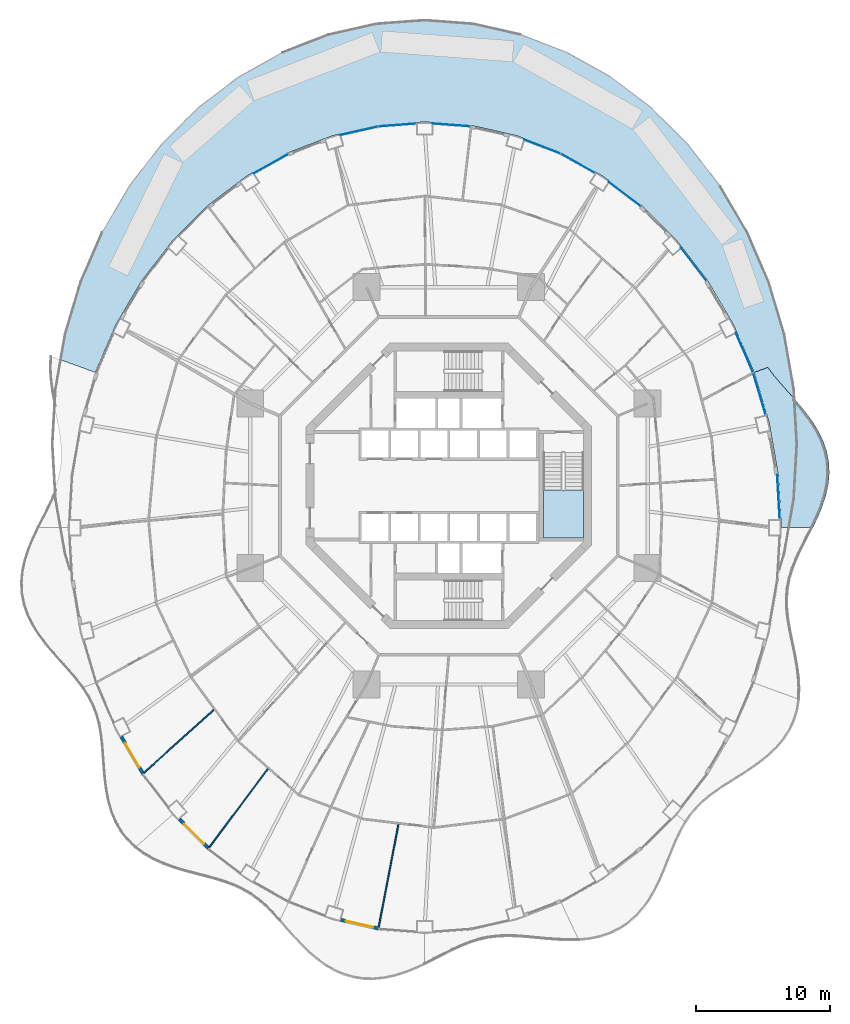
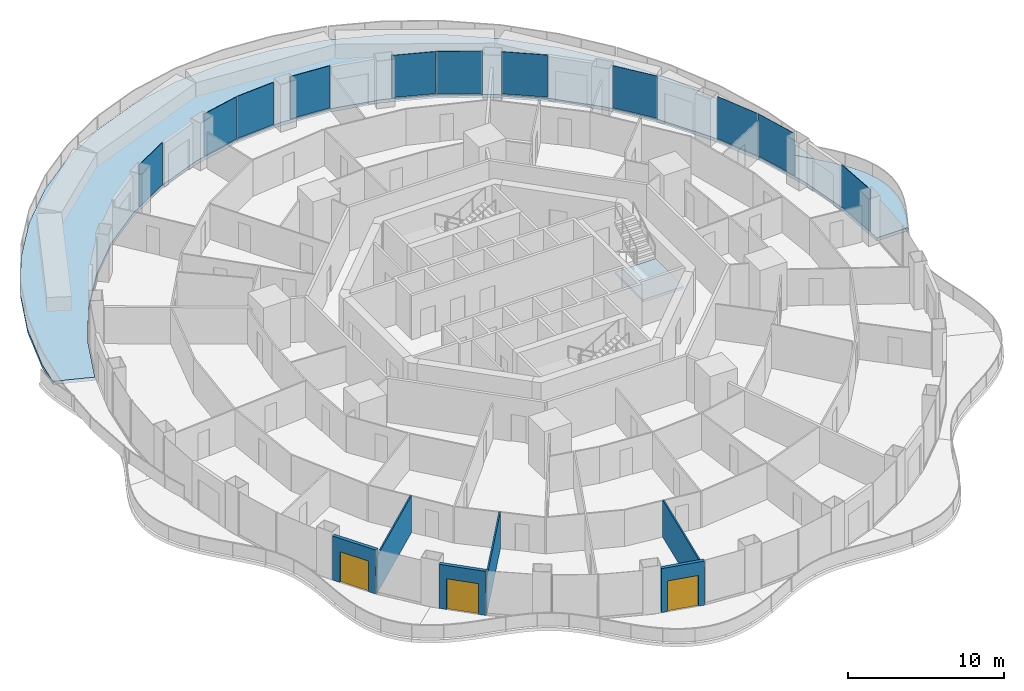
# One storey, part 11 of 20: 11 plates, 6 walls, 3 doors, 3 slabs, 3 openings, 12 elements without a shape of their own.
"""IFC4 building model written with IfcOpenShell, lengths in metres."""

from ifc_helpers import new_model, si_unit, direction, frame, frame_2d, origin, origin_2d, place, context, subcontext, project, spatial, polyline, rectangle, outline, extrude, material, layer, layer_set, type_object, element, fill, aggregate, save


model = new_model("IFC4")

# Units and contexts
model_context = context("Model", 3, precision=1e-05, world=origin(), true_north=direction((0.0, 1.0)))
body_context = subcontext(model_context, "Body", "Model", "MODEL_VIEW")
ifc_project = project(units=[si_unit("LENGTHUNIT", "METRE"), si_unit("AREAUNIT", "SQUARE_METRE"), si_unit("VOLUMEUNIT", "CUBIC_METRE"), si_unit("PLANEANGLEUNIT", "RADIAN"), si_unit("MASSUNIT", "GRAM", prefix="KILO")], contexts=[model_context])

# Site, building, storey
site_placement = place(None, origin())
site = spatial("IfcSite", under=ifc_project, at=site_placement, CompositionType="ELEMENT")
building_placement = place(site_placement, origin())
building = spatial("IfcBuilding", under=site, at=building_placement, Name="Nagisa Residences", CompositionType="ELEMENT")
storey_placement = place(building_placement, frame((0.0, 0.0, 119.60009765625)))
storey = spatial("IfcBuildingStorey", under=building, at=storey_placement, Name="L29", CompositionType="ELEMENT", Elevation=119.60009765625)

# Slab
ifc_material_1 = material(Name="Concrete C40/50", Category="concrete")
ifc_layer_1 = layer(ifc_material_1, 0.25)
ifc_layer_set_1 = layer_set([ifc_layer_1], Name="BALCONY SLAB 250")
slab_type_1 = type_object("IfcSlabType", Name="BALCONY SLAB 250", PredefinedType="FLOOR", material=ifc_layer_set_1)
slab_1_placement = place(storey_placement, frame((0.0, 0.0, -0.25)))
element("IfcSlab", 1, at=slab_1_placement, inside=storey, type_object=slab_type_1, Name="slab:L29:bal00", PredefinedType="FLOOR", context=body_context, shape_type="SweptSolid", body=[
    extrude(outline(polyline([(27.0849609375, -3.11767578125), (27.46142578125, -2.322265625), (27.794677734375, -1.51171875), (28.060302734375, -0.689697265625), (28.2373046875, 0.138671875), (28.31005859375, 0.96630859375), (28.2685546875, 1.78662109375), (28.10986328125, 2.591796875), (27.837890625, 3.376220703125), (27.463134765625, 4.134765625), (27.002197265625, 4.86474609375), (26.47607421875, 5.56591796875), (25.908935546875, 6.24072265625), (25.32666015625, 6.894287109375), (24.754638671875, 7.53369140625), (24.215576171875, 8.167724609375), (23.729248046875, 8.806640625), (22.715087890625, 8.4375), (23.830810546875, 4.697265625), (24.508056640625, 0.823486328125), (24.735107421875, -3.11767578125), (27.0849609375, -3.11767578125)])), origin(), (0.0, 0.0, 1.0), 0.25),
])

# Curtain wall, plate
ifc_material_2 = material(Name="Concrete-coloured aluminium curtain wall system", Category="concrete")
ifc_layer_2 = layer(ifc_material_2, 0.159912109375)
ifc_layer_set_2 = layer_set([ifc_layer_2], Name="CW1 CURTAIN WALL")
curtain_wall_type = type_object("IfcCurtainWallType", Name="CW1 CURTAIN WALL", PredefinedType="NOTDEFINED", material=ifc_layer_set_2)
curtain_wall_1_placement = place(storey_placement, origin())
curtain_wall_1 = element("IfcCurtainWall", 2, at=curtain_wall_1_placement, inside=storey, type_object=curtain_wall_type, Name="cw:CW1:L29:00", PredefinedType="NOTDEFINED")
ifc_material_3 = material(Name="Clear laminated glass", Category="glass")
ifc_layer_3 = layer(ifc_material_3, 0.028076171875)
ifc_layer_set_3 = layer_set([ifc_layer_3], Name="CW1 GLASS PANEL")
plate_type = type_object("IfcPlateType", Name="CW1 GLASS PANEL", PredefinedType="CURTAIN_PANEL", material=ifc_layer_set_3)
plate_1_placement = place(storey_placement, frame((24.522705078125, -0.822265625, 0.14990234375), z_axis=(0.0, 0.0, 1.0), x_axis=(-0.057503492216, 0.998345305184, 0.0)))
plate_1 = element("IfcPlate", 3, at=plate_1_placement, type_object=plate_type, Name="CW1 panel", PredefinedType="CURTAIN_PANEL", context=body_context, shape_type="SweptSolid", body=[
    extrude(rectangle(XDim=3.287841796875, YDim=0.028076171875, at=origin_2d()), origin(), (0.0, 0.0, 1.0), 3.2900390625),
])
aggregate(curtain_wall_1, [plate_1])

curtain_wall_2_placement = place(storey_placement, origin())
curtain_wall_2 = element("IfcCurtainWall", 4, at=curtain_wall_2_placement, inside=storey, type_object=curtain_wall_type, Name="cw:CW1:L29:02", PredefinedType="NOTDEFINED")
plate_2_placement = place(storey_placement, frame((23.10205078125, 6.86083984375, 0.14990234375), z_axis=(0.0, 0.0, 1.0), x_axis=(-0.285860274038, 0.958271310082, 0.0)))
plate_2 = element("IfcPlate", 5, at=plate_2_placement, type_object=plate_type, Name="CW1 panel", PredefinedType="CURTAIN_PANEL", context=body_context, shape_type="SweptSolid", body=[
    extrude(rectangle(XDim=3.242919921875, YDim=0.028076171875, at=origin_2d()), origin(), (0.0, 0.0, 1.0), 3.2900390625),
])
aggregate(curtain_wall_2, [plate_2])

curtain_wall_3_placement = place(storey_placement, origin())
curtain_wall_3 = element("IfcCurtainWall", 6, at=curtain_wall_3_placement, inside=storey, type_object=curtain_wall_type, Name="cw:CW1:L29:03", PredefinedType="NOTDEFINED")
plate_3_placement = place(storey_placement, frame((21.9814453125, 9.928955078125, 0.14990234375), z_axis=(0.0, 0.0, 1.0), x_axis=(-0.397635934147, 0.917543276295, 0.0)))
plate_3 = element("IfcPlate", 7, at=plate_3_placement, type_object=plate_type, Name="CW1 panel", PredefinedType="CURTAIN_PANEL", context=body_context, shape_type="SweptSolid", body=[
    extrude(rectangle(XDim=3.20068359375, YDim=0.028076171875, at=origin_2d()), origin(), (0.0, 0.0, 1.0), 3.2900390625),
])
aggregate(curtain_wall_3, [plate_3])

curtain_wall_4_placement = place(storey_placement, origin())
curtain_wall_4 = element("IfcCurtainWall", 8, at=curtain_wall_4_placement, inside=storey, type_object=curtain_wall_type, Name="cw:CW1:L29:05", PredefinedType="NOTDEFINED")
plate_4_placement = place(storey_placement, frame((18.208740234375, 16.48583984375, 0.14990234375), z_axis=(0.0, 0.0, 1.0), x_axis=(-0.610429828235, 0.792070340816, 0.0)))
plate_4 = element("IfcPlate", 9, at=plate_4_placement, type_object=plate_type, Name="CW1 panel", PredefinedType="CURTAIN_PANEL", context=body_context, shape_type="SweptSolid", body=[
    extrude(rectangle(XDim=3.089111328125, YDim=0.028076171875, at=origin_2d()), origin(), (0.0, 0.0, 1.0), 3.2900390625),
])
aggregate(curtain_wall_4, [plate_4])

curtain_wall_5_placement = place(storey_placement, origin())
curtain_wall_5 = element("IfcCurtainWall", 10, at=curtain_wall_5_placement, inside=storey, type_object=curtain_wall_type, Name="cw:CW1:L29:07", PredefinedType="NOTDEFINED")
plate_5_placement = place(storey_placement, frame((13.076904296875, 21.707763671875, 0.14990234375), z_axis=(0.0, 0.0, 1.0), x_axis=(-0.79603132756, 0.605255421737, 0.0)))
plate_5 = element("IfcPlate", 11, at=plate_5_placement, type_object=plate_type, Name="CW1 panel", PredefinedType="CURTAIN_PANEL", context=body_context, shape_type="SweptSolid", body=[
    extrude(rectangle(XDim=2.965576171875, YDim=0.028076171875, at=origin_2d()), origin(), (0.0, 0.0, 1.0), 3.2900390625),
])
aggregate(curtain_wall_5, [plate_5])

curtain_wall_6_placement = place(storey_placement, origin())
curtain_wall_6 = element("IfcCurtainWall", 12, at=curtain_wall_6_placement, inside=storey, type_object=curtain_wall_type, Name="cw:CW1:L29:08", PredefinedType="NOTDEFINED")
plate_6_placement = place(storey_placement, frame((9.583984375, 23.9970703125, 0.14990234375), z_axis=(0.0, 0.0, 1.0), x_axis=(-0.872072377523, 0.489376918501, 0.0)))
plate_6 = element("IfcPlate", 13, at=plate_6_placement, type_object=plate_type, Name="CW1 panel", PredefinedType="CURTAIN_PANEL", context=body_context, shape_type="SweptSolid", body=[
    extrude(rectangle(XDim=2.90966796875, YDim=0.028076171875, at=origin_2d()), origin(), (0.0, 0.0, 1.0), 3.2900390625),
])
aggregate(curtain_wall_6, [plate_6])

curtain_wall_7_placement = place(storey_placement, origin())
curtain_wall_7 = element("IfcCurtainWall", 14, at=curtain_wall_7_placement, inside=storey, type_object=curtain_wall_type, Name="cw:CW1:L29:09", PredefinedType="NOTDEFINED")
plate_7_placement = place(storey_placement, frame((6.93408203125, 25.24169921875, 0.14990234375), z_axis=(0.0, 0.0, 1.0), x_axis=(-0.932825759707, 0.360327770268, 0.0)))
plate_7 = element("IfcPlate", 15, at=plate_7_placement, type_object=plate_type, Name="CW1 panel", PredefinedType="CURTAIN_PANEL", context=body_context, shape_type="SweptSolid", body=[
    extrude(rectangle(XDim=2.863525390625, YDim=0.028076171875, at=origin_2d()), origin(), (0.0, 0.0, 1.0), 3.2900390625),
])
aggregate(curtain_wall_7, [plate_7])

curtain_wall_8_placement = place(storey_placement, origin())
curtain_wall_8 = element("IfcCurtainWall", 16, at=curtain_wall_8_placement, inside=storey, type_object=curtain_wall_type, Name="cw:CW1:L29:11", PredefinedType="NOTDEFINED")
plate_8_placement = place(storey_placement, frame((0.195068359375, 26.848388671875, 0.14990234375), z_axis=(0.0, 0.0, 1.0), x_axis=(-0.997230168512, 0.074377355493, 0.0)))
plate_8 = element("IfcPlate", 17, at=plate_8_placement, type_object=plate_type, Name="CW1 panel", PredefinedType="CURTAIN_PANEL", context=body_context, shape_type="SweptSolid", body=[
    extrude(rectangle(XDim=2.813232421875, YDim=0.028076171875, at=origin_2d()), origin(), (0.0, 0.0, 1.0), 3.2900390625),
])
aggregate(curtain_wall_8, [plate_8])

curtain_wall_9_placement = place(storey_placement, origin())
curtain_wall_9 = element("IfcCurtainWall", 18, at=curtain_wall_9_placement, inside=storey, type_object=curtain_wall_type, Name="cw:CW1:L29:12", PredefinedType="NOTDEFINED")
plate_9_placement = place(storey_placement, frame((-3.85498046875, 26.84375, 0.14990234375), z_axis=(0.0, 0.0, 1.0), x_axis=(-0.997230168512, -0.074377355493, 0.0)))
plate_9 = element("IfcPlate", 19, at=plate_9_placement, type_object=plate_type, Name="CW1 panel", PredefinedType="CURTAIN_PANEL", context=body_context, shape_type="SweptSolid", body=[
    extrude(rectangle(XDim=2.813232421875, YDim=0.028076171875, at=origin_2d()), origin(), (0.0, 0.0, 1.0), 3.2900390625),
])
aggregate(curtain_wall_9, [plate_9])

curtain_wall_10_placement = place(storey_placement, origin())
curtain_wall_10 = element("IfcCurtainWall", 20, at=curtain_wall_10_placement, inside=storey, type_object=curtain_wall_type, Name="cw:CW1:L29:13", PredefinedType="NOTDEFINED")
plate_10_placement = place(storey_placement, frame((-6.6845703125, 26.415283203125, 0.14990234375), z_axis=(0.0, 0.0, 1.0), x_axis=(-0.975327274089, -0.2207639201, 0.0)))
plate_10 = element("IfcPlate", 21, at=plate_10_placement, type_object=plate_type, Name="CW1 panel", PredefinedType="CURTAIN_PANEL", context=body_context, shape_type="SweptSolid", body=[
    extrude(rectangle(XDim=2.830322265625, YDim=0.028076171875, at=origin_2d()), origin(), (0.0, 0.0, 1.0), 3.2900390625),
])
aggregate(curtain_wall_10, [plate_10])

curtain_wall_11_placement = place(storey_placement, origin())
curtain_wall_11 = element("IfcCurtainWall", 22, at=curtain_wall_11_placement, inside=storey, type_object=curtain_wall_type, Name="cw:CW1:L29:15", PredefinedType="NOTDEFINED")
plate_11_placement = place(storey_placement, frame((-13.236328125, 23.9677734375, 0.14990234375), z_axis=(0.0, 0.0, 1.0), x_axis=(-0.872072377523, -0.489376918501, 0.0)))
plate_11 = element("IfcPlate", 23, at=plate_11_placement, type_object=plate_type, Name="CW1 panel", PredefinedType="CURTAIN_PANEL", context=body_context, shape_type="SweptSolid", body=[
    extrude(rectangle(XDim=2.90966796875, YDim=0.028076171875, at=origin_2d()), origin(), (0.0, 0.0, 1.0), 3.2900390625),
])
aggregate(curtain_wall_11, [plate_11])

# Slab
ifc_material_4 = material(Name="Concrete C40/50", Category="concrete")
ifc_layer_4 = layer(ifc_material_4, 0.260009765625)
ifc_layer_set_4 = layer_set([ifc_layer_4], Name="SKY GARDEN ROOF SLAB 260")
slab_type_2 = type_object("IfcSlabType", Name="SKY GARDEN ROOF SLAB 260", PredefinedType="ROOF", material=ifc_layer_set_4)
slab_2_placement = place(storey_placement, frame((0.0, 0.0, -0.260009765625)))
element("IfcSlab", 24, at=slab_2_placement, inside=storey, type_object=slab_type_2, Name="slab:L29:garden0", PredefinedType="ROOF", context=body_context, shape_type="SweptSolid", body=[
    extrude(outline(polyline([(21.179931640625, 11.979736328125), (22.715087890625, 8.4375), (23.729248046875, 8.806640625), (24.215576171875, 8.167724609375), (24.754638671875, 7.53369140625), (25.32666015625, 6.894287109375), (25.70166015625, 6.473388671875), (25.657958984375, 7.231201171875), (24.951416015625, 11.2744140625), (23.786865234375, 15.177978515625), (22.1845703125, 18.875244140625), (20.171875, 22.302734375), (17.783203125, 25.402099609375), (15.0595703125, 28.1201171875), (12.047607421875, 30.410400390625), (8.79833984375, 32.233642578125), (5.367919921875, 33.558837890625), (1.81494140625, 34.363037109375), (-1.800048828125, 34.6328125), (-5.4150390625, 34.363037109375), (-8.968017578125, 33.558837890625), (-12.3984375, 32.233642578125), (-15.6474609375, 30.410400390625), (-18.65966796875, 28.1201171875), (-21.38330078125, 25.402099609375), (-23.77197265625, 22.302734375), (-25.78466796875, 18.875244140625), (-27.386962890625, 15.177978515625), (-28.55126953125, 11.2744140625), (-28.8837890625, 9.372314453125), (-26.315185546875, 8.4375), (-24.780029296875, 11.979736328125), (-22.8515625, 15.263916015625), (-20.56298828125, 18.2333984375), (-17.953369140625, 20.837646484375), (-15.0673828125, 23.031982421875), (-11.95458984375, 24.77880859375), (-8.667724609375, 26.04833984375), (-5.263427734375, 26.819091796875), (-1.800048828125, 27.077392578125), (1.66357421875, 26.819091796875), (5.06787109375, 26.04833984375), (8.3544921875, 24.77880859375), (11.467529296875, 23.031982421875), (14.353515625, 20.837646484375), (16.963134765625, 18.2333984375), (19.251708984375, 15.263916015625), (21.179931640625, 11.979736328125)])), origin(), (0.0, 0.0, 1.0), 0.260009765625),
])

# Stair, slab
ifc_material_5 = material(Name="Concrete C60", Category="concrete")
stair_type = type_object("IfcStairType", Name="Exit stair", PredefinedType="HALF_TURN_STAIR", material=ifc_material_5)
stair_placement = place(storey_placement, origin())
stair = element("IfcStair", 25, at=stair_placement, inside=storey, type_object=stair_type, Name="L29 Exit stair E", PredefinedType="HALF_TURN_STAIR")
ifc_material_6 = material(Name="Concrete C60", Category="concrete")
ifc_layer_5 = layer(ifc_material_6, 0.199951171875)
ifc_layer_set_5 = layer_set([ifc_layer_5], Name="Stair landing")
slab_type_3 = type_object("IfcSlabType", Name="Stair landing", PredefinedType="LANDING", material=ifc_layer_set_5)
slab_3_placement = place(storey_placement, frame((0.0, 0.0, 1.64990234375)))
slab_3 = element("IfcSlab", 26, at=slab_3_placement, type_object=slab_type_3, Name="ST-E landing 1", PredefinedType="LANDING", context=body_context, shape_type="SweptSolid", body=[
    extrude(outline(polyline([(7.024658203125, -0.324951171875), (7.024658203125, -3.89990234375), (10.024658203125, -3.89990234375), (10.024658203125, -0.324951171875), (7.024658203125, -0.324951171875)])), origin(), (0.0, 0.0, 1.0), 0.199951171875),
])
aggregate(stair, [slab_3])

# Walls
ifc_material_7 = material(Name="Gypsum board on steel studs", Category="steel")
ifc_layer_6 = layer(ifc_material_7, 0.10009765625)
ifc_layer_set_6 = layer_set([ifc_layer_6], Name="Apartment partition 100")
wall_type_1 = type_object("IfcWallType", Name="Apartment partition 100", PredefinedType="PARTITIONING", material=ifc_layer_set_6)
wall_1_placement = place(storey_placement, frame((-17.4697265625, -16.6416015625, 0.0), z_axis=(0.0, 0.0, 1.0), x_axis=(-0.742345465337, -0.670017320742, 0.0)))
element("IfcWall", 27, at=wall_1_placement, inside=storey, type_object=wall_type_1, Name="wall:L29:u68", PredefinedType="PARTITIONING", context=body_context, shape_type="SweptSolid", body=[
    extrude(rectangle(XDim=7.2099609375, YDim=0.10009765625, at=frame_2d((3.60498046875, 0.0))), origin(), (0.0, 0.0, 1.0), 2.90478515625),
])
wall_2_placement = place(storey_placement, frame((-13.4541015625, -21.0400390625, 0.0), z_axis=(0.0, 0.0, 1.0), x_axis=(-0.597848033124, -0.801609461826, 0.0)))
element("IfcWall", 28, at=wall_2_placement, inside=storey, type_object=wall_type_1, Name="wall:L29:u71", PredefinedType="PARTITIONING", context=body_context, shape_type="SweptSolid", body=[
    extrude(rectangle(XDim=7.486083984375, YDim=0.10009765625, at=frame_2d((3.7431640625, 0.0))), origin(), (0.0, 0.0, 1.0), 2.90478515625),
])
wall_3_placement = place(storey_placement, frame((-3.748779296875, -25.15869140625, 0.0), z_axis=(0.0, 0.0, 1.0), x_axis=(-0.188392334675, -0.982093848996, 0.0)))
element("IfcWall", 29, at=wall_3_placement, inside=storey, type_object=wall_type_1, Name="wall:L29:u79", PredefinedType="PARTITIONING", context=body_context, shape_type="SweptSolid", body=[
    extrude(rectangle(XDim=7.999755859375, YDim=0.10009765625, at=frame_2d((4.0, 0.0))), origin(), (0.0, 0.0, 1.0), 2.90478515625),
])

# Wall, opening, door
ifc_material_8 = material(Name="Precast concrete C40/50", Category="concrete")
ifc_layer_7 = layer(ifc_material_8, 0.25)
ifc_layer_set_7 = layer_set([ifc_layer_7], Name="BALCONY DOOR WALL 250")
wall_type_2 = type_object("IfcWallType", Name="BALCONY DOOR WALL 250", PredefinedType="SOLIDWALL", material=ifc_layer_set_7)
wall_4_placement = place(storey_placement, frame((-22.743896484375, -21.43603515625, 0.0), z_axis=(0.0, 0.0, 1.0), x_axis=(-0.506314982873, 0.862348617508, 0.0)))
wall_4 = element("IfcWall", 30, at=wall_4_placement, inside=storey, type_object=wall_type_2, Name="wall:L29:bay28", PredefinedType="SOLIDWALL", context=body_context, shape_type="SweptSolid", body=[
    extrude(rectangle(XDim=3.20849609375, YDim=0.25, at=frame_2d((1.604248046875, 0.0))), origin(), (0.0, 0.0, 1.0), 3.43994140625),
])
opening_1_placement = place(wall_4_placement, frame((0.55419921875, 0.0, 0.0)))
opening_1 = element("IfcOpeningElement", 31, at=opening_1_placement, cuts=wall_4, Name="Opening BD-L29-10", PredefinedType="OPENING", context=body_context, shape_type="SweptSolid", body=[
    extrude(rectangle(XDim=2.10009765625, YDim=2.39990234375, at=frame_2d((1.050048828125, 1.199951171875))), frame((0.0, 0.135009765625, 0.0), z_axis=(0.0, -1.0, 0.0), x_axis=(1.0, 0.0, 0.0)), (0.0, 0.0, 1.0), 0.27001953125),
])
ifc_material_9 = material(Name="Aluminium and clear glass", Category="aluminium")
door_type = type_object("IfcDoorType", Name="BALCONY SLIDING DOOR 2100x2400", OperationType="SLIDING_TO_LEFT", PredefinedType="DOOR", material=ifc_material_9)
door_1_placement = place(opening_1_placement, origin())
door_1 = element("IfcDoor", 32, at=door_1_placement, inside=storey, type_object=door_type, Name="door:L29:bay28", OperationType="SLIDING_TO_LEFT", OverallHeight=2.39990234375, OverallWidth=2.10009765625, PredefinedType="DOOR", context=body_context, shape_type="SweptSolid", body=[
    extrude(rectangle(XDim=2.10009765625, YDim=2.39990234375, at=frame_2d((1.050048828125, 1.199951171875))), frame((0.0, 0.02490234375, 0.0), z_axis=(0.0, -1.0, 0.0), x_axis=(1.0, 0.0, 0.0)), (0.0, 0.0, 1.0), 0.050048828125),
])
fill(opening_1, door_1)

wall_5_placement = place(storey_placement, frame((-17.865234375, -26.984619140625, 0.0), z_axis=(0.0, 0.0, 1.0), x_axis=(-0.707818274975, 0.706394570768, 0.0)))
wall_5 = element("IfcWall", 33, at=wall_5_placement, inside=storey, type_object=wall_type_2, Name="wall:L29:bay30", PredefinedType="SOLIDWALL", context=body_context, shape_type="SweptSolid", body=[
    extrude(rectangle(XDim=3.086669921875, YDim=0.25, at=frame_2d((1.54345703125, 0.0))), origin(), (0.0, 0.0, 1.0), 3.43994140625),
])
opening_2_placement = place(wall_5_placement, frame((0.493408203125, 0.0, 0.0)))
opening_2 = element("IfcOpeningElement", 34, at=opening_2_placement, cuts=wall_5, Name="Opening BD-L29-11", PredefinedType="OPENING", context=body_context, shape_type="SweptSolid", body=[
    extrude(rectangle(XDim=2.10009765625, YDim=2.39990234375, at=frame_2d((1.050048828125, 1.199951171875))), frame((0.0, 0.135009765625, 0.0), z_axis=(0.0, -1.0, 0.0), x_axis=(1.0, 0.0, 0.0)), (0.0, 0.0, 1.0), 0.27001953125),
])
door_2_placement = place(opening_2_placement, origin())
door_2 = element("IfcDoor", 35, at=door_2_placement, inside=storey, type_object=door_type, Name="door:L29:bay30", OperationType="SLIDING_TO_LEFT", OverallHeight=2.39990234375, OverallWidth=2.10009765625, PredefinedType="DOOR", context=body_context, shape_type="SweptSolid", body=[
    extrude(rectangle(XDim=2.10009765625, YDim=2.39990234375, at=frame_2d((1.050048828125, 1.199951171875))), frame((0.0, 0.02490234375, 0.0), z_axis=(0.0, -1.0, 0.0), x_axis=(1.0, 0.0, 0.0)), (0.0, 0.0, 1.0), 0.050048828125),
])
fill(opening_2, door_2)

wall_6_placement = place(storey_placement, frame((-5.23583984375, -32.932373046875, 0.0), z_axis=(0.0, 0.0, 1.0), x_axis=(-0.975339035722, 0.220711951186, 0.0)))
wall_6 = element("IfcWall", 36, at=wall_6_placement, inside=storey, type_object=wall_type_2, Name="wall:L29:bay34", PredefinedType="SOLIDWALL", context=body_context, shape_type="SweptSolid", body=[
    extrude(rectangle(XDim=2.890380859375, YDim=0.25, at=frame_2d((1.4453125, 0.0))), origin(), (0.0, 0.0, 1.0), 3.43994140625),
])
opening_3_placement = place(wall_6_placement, frame((0.395263671875, 0.0, 0.0)))
opening_3 = element("IfcOpeningElement", 37, at=opening_3_placement, cuts=wall_6, Name="Opening BD-L29-12", PredefinedType="OPENING", context=body_context, shape_type="SweptSolid", body=[
    extrude(rectangle(XDim=2.10009765625, YDim=2.39990234375, at=frame_2d((1.050048828125, 1.199951171875))), frame((0.0, 0.135009765625, 0.0), z_axis=(0.0, -1.0, 0.0), x_axis=(1.0, 0.0, 0.0)), (0.0, 0.0, 1.0), 0.27001953125),
])
door_3_placement = place(opening_3_placement, origin())
door_3 = element("IfcDoor", 38, at=door_3_placement, inside=storey, type_object=door_type, Name="door:L29:bay34", OperationType="SLIDING_TO_LEFT", OverallHeight=2.39990234375, OverallWidth=2.10009765625, PredefinedType="DOOR", context=body_context, shape_type="SweptSolid", body=[
    extrude(rectangle(XDim=2.10009765625, YDim=2.39990234375, at=frame_2d((1.050048828125, 1.199951171875))), frame((0.0, 0.02490234375, 0.0), z_axis=(0.0, -1.0, 0.0), x_axis=(1.0, 0.0, 0.0)), (0.0, 0.0, 1.0), 0.050048828125),
])
fill(opening_3, door_3)

save(model, "model.ifc")
